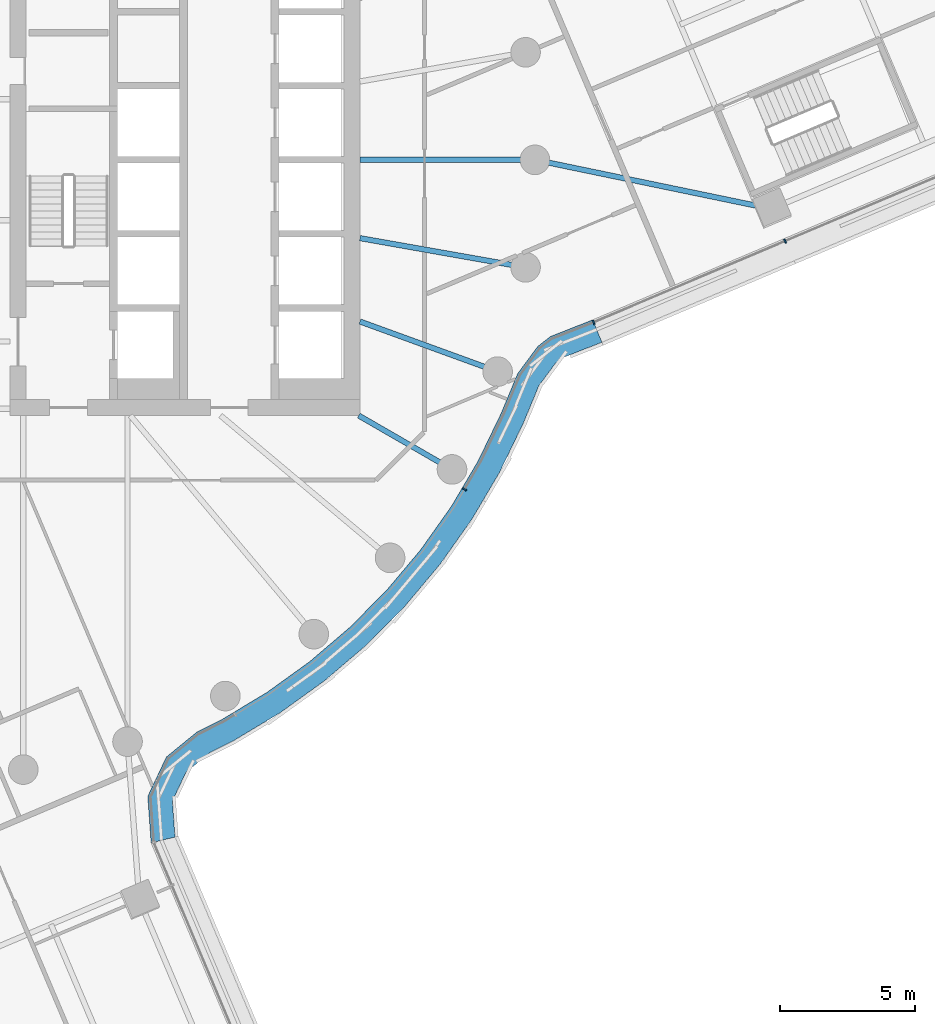
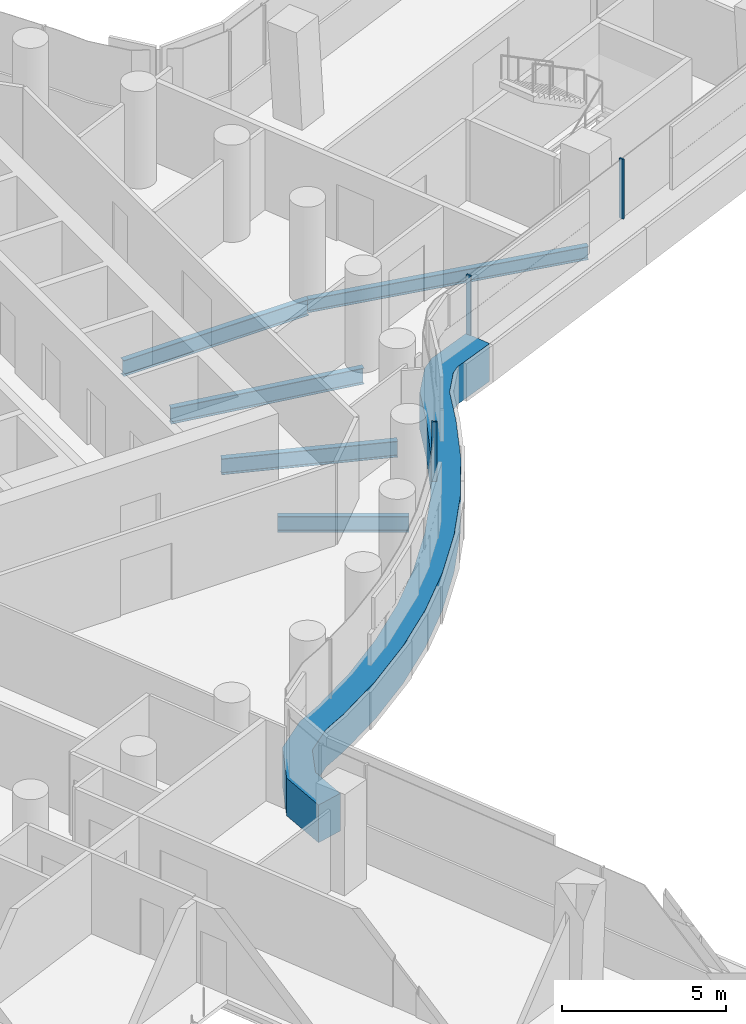
# One storey, part 11 of 35: 5 beams, 4 members, 2 elements without a shape of their own.
"""IFC4 building model written with IfcOpenShell, lengths in metres."""

from ifc_helpers import new_model, si_unit, direction, frame, origin, origin_2d, place, context, subcontext, project, spatial, polyline, rectangle, i_section, outline, extrude, material, layer, layer_set, material_profile, profile_set, type_object, element, aggregate, save


model = new_model("IFC4")

# Units and contexts
model_context = context("Model", 3, precision=1e-05, world=origin(), true_north=direction((0.0, 1.0)))
body_context = subcontext(model_context, "Body", "Model", "MODEL_VIEW")
ifc_project = project(units=[si_unit("LENGTHUNIT", "METRE"), si_unit("AREAUNIT", "SQUARE_METRE"), si_unit("VOLUMEUNIT", "CUBIC_METRE"), si_unit("PLANEANGLEUNIT", "RADIAN"), si_unit("MASSUNIT", "GRAM", prefix="KILO")], contexts=[model_context])

# Site, building, storey
site_placement = place(None, origin())
site = spatial("IfcSite", under=ifc_project, at=site_placement, CompositionType="ELEMENT")
building_placement = place(site_placement, origin())
building = spatial("IfcBuilding", under=site, at=building_placement, Name="Tamarind Cross Interchange Tower", CompositionType="ELEMENT")
storey_placement = place(building_placement, frame((0.0, 0.0, 117.25)))
storey = spatial("IfcBuildingStorey", under=building, at=storey_placement, Name="L28", CompositionType="ELEMENT", Elevation=117.25)

# Beams
ifc_material_1 = material(Name="Steel Q355B", Category="steel")
ifc_material_profile_1 = material_profile(ifc_material_1, i_section(OverallWidth=0.198974609375, OverallDepth=0.49609375, WebThickness=0.009033203125, FlangeThickness=0.013916015625, FilletRadius=0.012939453125, at=origin_2d()), Name="HN 496x199x9x14")
ifc_profile_set_1 = profile_set([ifc_material_profile_1], Name="Steel Q355B")
beam_type_1 = type_object("IfcBeamType", Name="Composite beam HN 496x199x9x14 Q355B", PredefinedType="BEAM", material=ifc_profile_set_1)
beam_1_placement = place(storey_placement, frame((31.788818359375, -1.822265625, -0.387939453125), z_axis=(-0.979174358116, 0.203021123058, 0.0), x_axis=(-0.203021123058, -0.979174358116, 0.0)))
element("IfcBeam", 1, at=beam_1_placement, inside=storey, type_object=beam_type_1, Name="Beam E-linkem", PredefinedType="BEAM", context=body_context, shape_type="SweptSolid", body=[
    extrude(i_section(OverallWidth=0.198974609375, OverallDepth=0.49609375, WebThickness=0.009033203125, FlangeThickness=0.013916015625, FilletRadius=0.012939453125, at=origin_2d()), origin(), (0.0, 0.0, 1.0), 8.975830078125),
])
ifc_material_profile_2 = material_profile(ifc_material_1, i_section(OverallWidth=0.198974609375, OverallDepth=0.595947265625, WebThickness=0.010009765625, FlangeThickness=0.014892578125, FilletRadius=0.012939453125, at=origin_2d()), Name="HN 596x199x10x15")
ifc_profile_set_2 = profile_set([ifc_material_profile_2], Name="Steel Q355B")
beam_type_2 = type_object("IfcBeamType", Name="Composite beam HN 596x199x10x15 Q355B", PredefinedType="BEAM", material=ifc_profile_set_2)
beam_2_placement = place(storey_placement, frame((23.0, 0.0, -0.43798828125), z_axis=(-1.0, 0.0, 0.0), x_axis=(0.0, -1.0, 0.0)))
element("IfcBeam", 2, at=beam_2_placement, inside=storey, type_object=beam_type_2, Name="Beam HH00", PredefinedType="BEAM", context=body_context, shape_type="SweptSolid", body=[
    extrude(i_section(OverallWidth=0.198974609375, OverallDepth=0.595947265625, WebThickness=0.010009765625, FlangeThickness=0.014892578125, FilletRadius=0.012939453125, at=origin_2d()), origin(), (0.0, 0.0, 1.0), 6.5),
])
beam_3_placement = place(storey_placement, frame((19.918701171875, -11.5, -0.43798828125), z_axis=(-0.866026010844, 0.49999894854, 0.0), x_axis=(-0.49999894854, -0.866026010844, 0.0)))
element("IfcBeam", 3, at=beam_3_placement, inside=storey, type_object=beam_type_2, Name="Beam HH33", PredefinedType="BEAM", context=body_context, shape_type="SweptSolid", body=[
    extrude(i_section(OverallWidth=0.198974609375, OverallDepth=0.595947265625, WebThickness=0.010009765625, FlangeThickness=0.014892578125, FilletRadius=0.012939453125, at=origin_2d()), origin(), (0.0, 0.0, 1.0), 4.0),
])
beam_4_placement = place(storey_placement, frame((21.613037109375, -7.866455078125, -0.43798828125), z_axis=(-0.939701685589, 0.341995236956, 0.0), x_axis=(-0.341995236956, -0.939701685589, 0.0)))
element("IfcBeam", 4, at=beam_4_placement, inside=storey, type_object=beam_type_2, Name="Beam HH34", PredefinedType="BEAM", context=body_context, shape_type="SweptSolid", body=[
    extrude(i_section(OverallWidth=0.198974609375, OverallDepth=0.595947265625, WebThickness=0.010009765625, FlangeThickness=0.014892578125, FilletRadius=0.012939453125, at=origin_2d()), origin(), (0.0, 0.0, 1.0), 5.441162109375),
])
beam_5_placement = place(storey_placement, frame((22.650634765625, -3.993896484375, -0.43798828125), z_axis=(-0.984809127561, 0.173640382036, 0.0), x_axis=(-0.173640382036, -0.984809127561, 0.0)))
element("IfcBeam", 5, at=beam_5_placement, inside=storey, type_object=beam_type_2, Name="Beam HH35", PredefinedType="BEAM", context=body_context, shape_type="SweptSolid", body=[
    extrude(i_section(OverallWidth=0.198974609375, OverallDepth=0.595947265625, WebThickness=0.010009765625, FlangeThickness=0.014892578125, FilletRadius=0.012939453125, at=origin_2d()), origin(), (0.0, 0.0, 1.0), 6.24560546875),
])

# Curtain wall, members
ifc_material_2 = material(Name="Aluminium 6063-T6", Category="aluminium")
ifc_layer = layer(ifc_material_2, 0.159912109375)
ifc_layer_set = layer_set([ifc_layer], Name="Aluminium 6063-T6")
curtain_wall_type = type_object("IfcCurtainWallType", Name="Office curtain wall, 9.0 m bays", PredefinedType="NOTDEFINED", material=ifc_layer_set)
curtain_wall_1_placement = place(storey_placement, origin())
curtain_wall_1 = element("IfcCurtainWall", 6, at=curtain_wall_1_placement, inside=storey, type_object=curtain_wall_type, Name="CWS-L28-06", PredefinedType="NOTDEFINED")
ifc_material_3 = material(Name="Aluminium and insulated spandrel panel", Category="aluminium")
member_type_1 = type_object("IfcMemberType", Name="Floor-edge blade transom", PredefinedType="USERDEFINED", material=ifc_material_3)
member_1_placement = place(storey_placement, origin())
member_1 = element("IfcMember", 7, at=member_1_placement, type_object=member_type_1, Name="CWT-L28-06", ObjectType="TRANSOM", PredefinedType="USERDEFINED", context=body_context, shape_type="SweptSolid", body=[
    extrude(outline(polyline([(8.741943359375, -25.37060546875), (8.61865234375, -23.64501953125), (9.310791015625, -22.17919921875), (10.450439453125, -21.2490234375), (11.366943359375, -20.791259765625), (13.045654296875, -19.78125), (14.634521484375, -18.636474609375), (16.12353515625, -17.3642578125), (17.50244140625, -15.973388671875), (18.76171875, -14.4736328125), (19.892822265625, -12.874755859375), (20.88818359375, -11.188232421875), (21.742431640625, -9.42138671875), (22.358642578125, -7.939453125), (23.100830078125, -6.93603515625), (23.5703125, -6.56494140625), (25.145751953125, -5.943603515625), (25.486572265625, -6.776611328125), (24.024169921875, -7.353271484375), (23.7529296875, -7.567626953125), (23.1474609375, -8.386474609375), (22.563720703125, -9.790283203125), (21.68212890625, -11.613525390625), (20.64892578125, -13.3642578125), (19.474853515625, -15.023681640625), (18.167724609375, -16.580810546875), (16.736572265625, -18.0244140625), (15.19091796875, -19.344970703125), (13.54150390625, -20.533203125), (11.80078125, -21.580810546875), (10.942138671875, -22.009521484375), (10.03759765625, -22.74755859375), (9.533203125, -23.81591796875), (9.629150390625, -25.15771484375), (8.741943359375, -25.37060546875)])), origin(), (0.0, 0.0, 1.0), 1.39990234375),
])
ifc_material_profile_3 = material_profile(ifc_material_2, rectangle(XDim=0.06005859375, YDim=0.159912109375, at=origin_2d()), Name="Mullion CW1")
ifc_profile_set_3 = profile_set([ifc_material_profile_3], Name="Aluminium 6063-T6")
member_type_2 = type_object("IfcMemberType", Name="Mullion CW1", PredefinedType="MULLION", material=ifc_profile_set_3)
member_2_placement = place(storey_placement, frame((20.384521484375, -12.23828125, 1.39990234375), z_axis=(0.0, 0.0, 1.0), x_axis=(0.508183308752, 0.861248933065, 0.0)))
member_2 = element("IfcMember", 8, at=member_2_placement, type_object=member_type_2, Name="CWM-L28-06-02", PredefinedType="MULLION", context=body_context, shape_type="SweptSolid", body=[
    extrude(rectangle(XDim=0.06005859375, YDim=0.159912109375, at=origin_2d()), origin(), (0.0, 0.0, 1.0), 2.210205078125),
])
aggregate(curtain_wall_1, [member_2, member_1])

curtain_wall_2_placement = place(storey_placement, origin())
curtain_wall_2 = element("IfcCurtainWall", 9, at=curtain_wall_2_placement, inside=storey, type_object=curtain_wall_type, Name="CWS-L28-07", PredefinedType="NOTDEFINED")
member_3_placement = place(storey_placement, frame((25.18359375, -6.0361328125, 1.39990234375), z_axis=(0.0, 0.0, 1.0), x_axis=(0.925506909721, 0.37873072236, 0.0)))
member_3 = element("IfcMember", 10, at=member_3_placement, type_object=member_type_2, Name="CWM-L28-07-00", PredefinedType="MULLION", context=body_context, shape_type="SweptSolid", body=[
    extrude(rectangle(XDim=0.06005859375, YDim=0.159912109375, at=origin_2d()), origin(), (0.0, 0.0, 1.0), 2.210205078125),
])
member_4_placement = place(storey_placement, frame((32.290283203125, -3.021484375, 1.39990234375), z_axis=(0.0, 0.0, 1.0), x_axis=(0.920603025823, 0.390499768049, 0.0)))
member_4 = element("IfcMember", 11, at=member_4_placement, type_object=member_type_2, Name="CWM-L28-07-01", PredefinedType="MULLION", context=body_context, shape_type="SweptSolid", body=[
    extrude(rectangle(XDim=0.06005859375, YDim=0.159912109375, at=origin_2d()), origin(), (0.0, 0.0, 1.0), 2.210205078125),
])
aggregate(curtain_wall_2, [member_3, member_4])

save(model, "model.ifc")
